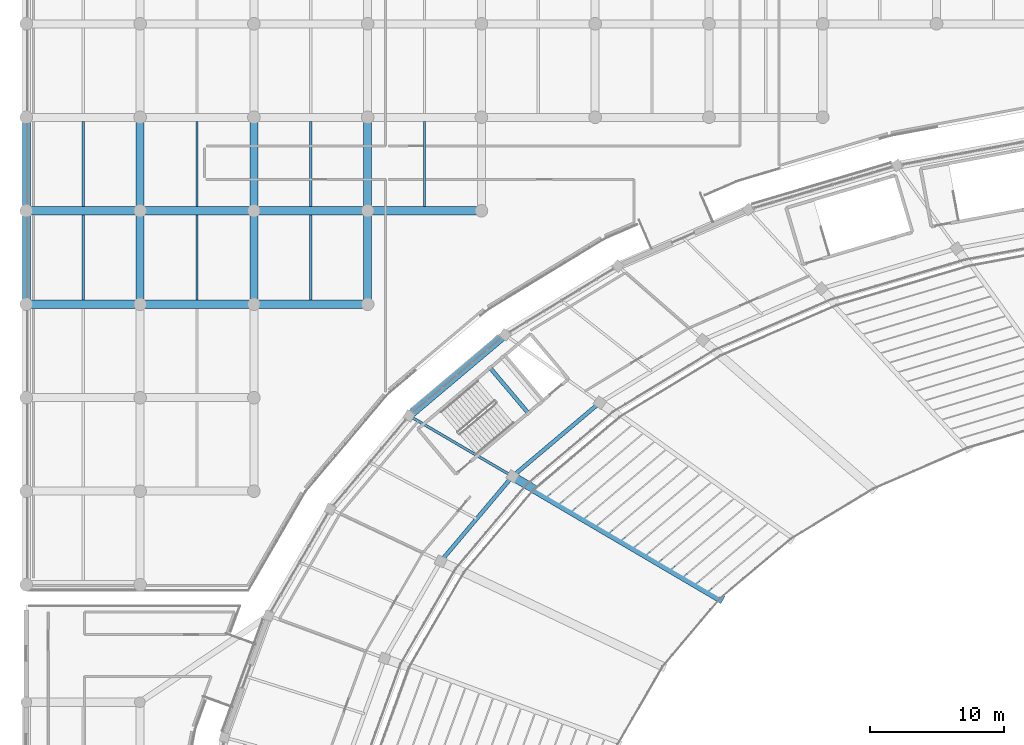
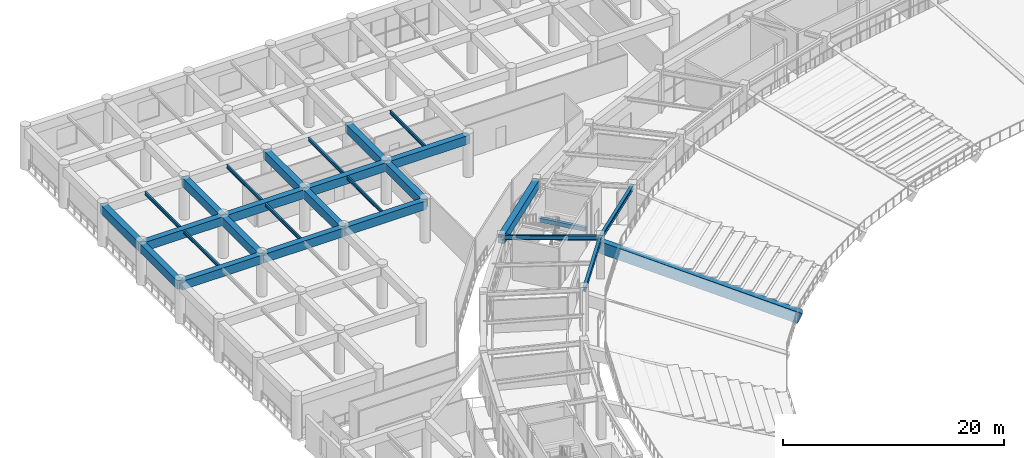
# One storey, part 53 of 137: 28 beams.
"""IFC4 building model written with IfcOpenShell, lengths in metres."""

from ifc_helpers import new_model, si_unit, direction, frame, origin, origin_2d, place, context, subcontext, project, spatial, rectangle, i_section, extrude, material, material_profile, profile_set, type_object, element, save


model = new_model("IFC4")

# Units and contexts
model_context = context("Model", 3, precision=1e-05, world=origin(), true_north=direction((0.0, 1.0)))
body_context = subcontext(model_context, "Body", "Model", "MODEL_VIEW")
ifc_project = project(units=[si_unit("LENGTHUNIT", "METRE"), si_unit("AREAUNIT", "SQUARE_METRE"), si_unit("VOLUMEUNIT", "CUBIC_METRE"), si_unit("PLANEANGLEUNIT", "RADIAN"), si_unit("MASSUNIT", "GRAM", prefix="KILO")], contexts=[model_context])

# Site, building, storey
site_placement = place(None, origin())
site = spatial("IfcSite", under=ifc_project, at=site_placement, CompositionType="ELEMENT")
building_placement = place(site_placement, origin())
building = spatial("IfcBuilding", under=site, at=building_placement, Name="Mphavela Belvedere Stadium", CompositionType="ELEMENT")
storey_placement = place(building_placement, frame((0.0, 0.0, 19.199951171875)))
storey = spatial("IfcBuildingStorey", under=building, at=storey_placement, Name="L04", CompositionType="ELEMENT", Elevation=19.199951171875)

# Beams
ifc_material_1 = material(Name="Concrete C40/50", Category="concrete")
ifc_material_profile_1 = material_profile(ifc_material_1, rectangle(XDim=0.60009765625, YDim=0.949951171875, at=origin_2d()), Name="RC 600x950")
ifc_profile_set_1 = profile_set([ifc_material_profile_1], Name="Concrete C40/50")
beam_type_1 = type_object("IfcBeamType", Name="BM-ENTABLATURE-950", PredefinedType="SPANDREL", material=ifc_profile_set_1)
beam_1_placement = place(storey_placement, frame((35.844482421875, 143.714599609375, 4.074951171875), z_axis=(-0.76426547638, -0.644901761212, 0.0), x_axis=(0.644901761212, -0.76426547638, 0.0)))
element("IfcBeam", 1, at=beam_1_placement, inside=storey, type_object=beam_type_1, Name="Circumferential girder L04 R4-19", PredefinedType="SPANDREL", context=body_context, shape_type="SweptSolid", body=[
    extrude(rectangle(XDim=0.60009765625, YDim=0.949951171875, at=origin_2d()), origin(), (0.0, 0.0, 1.0), 9.3984375),
])
beam_2_placement = place(storey_placement, frame((0.0, 146.0, 4.06494140625), z_axis=(1.0, 0.0, 0.0), x_axis=(0.0, 1.0, 0.0)))
element("IfcBeam", 2, at=beam_2_placement, inside=storey, type_object=beam_type_1, Name="North Mast and Ceremonial End Forecourt entablature beam X L04 1-4", PredefinedType="SPANDREL", context=body_context, shape_type="SweptSolid", body=[
    extrude(rectangle(XDim=0.60009765625, YDim=0.949951171875, at=origin_2d()), origin(), (0.0, 0.0, 1.0), 8.51904296875),
])
beam_3_placement = place(storey_placement, frame((0.0, 146.0, 4.06494140625), z_axis=(0.0, 1.0, 0.0), x_axis=(-1.0, 0.0, 0.0)))
element("IfcBeam", 3, at=beam_3_placement, inside=storey, type_object=beam_type_1, Name="North Mast and Ceremonial End Forecourt entablature beam Y L04 1-4", PredefinedType="SPANDREL", context=body_context, shape_type="SweptSolid", body=[
    extrude(rectangle(XDim=0.60009765625, YDim=0.949951171875, at=origin_2d()), origin(), (0.0, 0.0, 1.0), 7.0),
])
beam_4_placement = place(storey_placement, frame((0.0, 153.0, 4.06494140625), z_axis=(1.0, 0.0, 0.0), x_axis=(0.0, 1.0, 0.0)))
element("IfcBeam", 4, at=beam_4_placement, inside=storey, type_object=beam_type_1, Name="North Mast and Ceremonial End Forecourt entablature beam X L04 1-5", PredefinedType="SPANDREL", context=body_context, shape_type="SweptSolid", body=[
    extrude(rectangle(XDim=0.60009765625, YDim=0.949951171875, at=origin_2d()), origin(), (0.0, 0.0, 1.0), 8.51904296875),
])
beam_5_placement = place(storey_placement, frame((0.0, 153.0, 4.06494140625), z_axis=(0.0, 1.0, 0.0), x_axis=(-1.0, 0.0, 0.0)))
element("IfcBeam", 5, at=beam_5_placement, inside=storey, type_object=beam_type_1, Name="North Mast and Ceremonial End Forecourt entablature beam Y L04 1-5", PredefinedType="SPANDREL", context=body_context, shape_type="SweptSolid", body=[
    extrude(rectangle(XDim=0.60009765625, YDim=0.949951171875, at=origin_2d()), origin(), (0.0, 0.0, 1.0), 7.0),
])
beam_6_placement = place(storey_placement, frame((8.51904296875, 146.0, 4.06494140625), z_axis=(1.0, 0.0, 0.0), x_axis=(0.0, 1.0, 0.0)))
element("IfcBeam", 6, at=beam_6_placement, inside=storey, type_object=beam_type_1, Name="North Mast and Ceremonial End Forecourt entablature beam X L04 2-4", PredefinedType="SPANDREL", context=body_context, shape_type="SweptSolid", body=[
    extrude(rectangle(XDim=0.60009765625, YDim=0.949951171875, at=origin_2d()), origin(), (0.0, 0.0, 1.0), 8.51806640625),
])
beam_7_placement = place(storey_placement, frame((8.51904296875, 146.0, 4.06494140625), z_axis=(0.0, 1.0, 0.0), x_axis=(-1.0, 0.0, 0.0)))
element("IfcBeam", 7, at=beam_7_placement, inside=storey, type_object=beam_type_1, Name="North Mast and Ceremonial End Forecourt entablature beam Y L04 2-4", PredefinedType="SPANDREL", context=body_context, shape_type="SweptSolid", body=[
    extrude(rectangle(XDim=0.60009765625, YDim=0.949951171875, at=origin_2d()), origin(), (0.0, 0.0, 1.0), 7.0),
])
beam_8_placement = place(storey_placement, frame((8.51904296875, 153.0, 4.06494140625), z_axis=(1.0, 0.0, 0.0), x_axis=(0.0, 1.0, 0.0)))
element("IfcBeam", 8, at=beam_8_placement, inside=storey, type_object=beam_type_1, Name="North Mast and Ceremonial End Forecourt entablature beam X L04 2-5", PredefinedType="SPANDREL", context=body_context, shape_type="SweptSolid", body=[
    extrude(rectangle(XDim=0.60009765625, YDim=0.949951171875, at=origin_2d()), origin(), (0.0, 0.0, 1.0), 8.51806640625),
])
beam_9_placement = place(storey_placement, frame((8.51904296875, 153.0, 4.06494140625), z_axis=(0.0, 1.0, 0.0), x_axis=(-1.0, 0.0, 0.0)))
element("IfcBeam", 9, at=beam_9_placement, inside=storey, type_object=beam_type_1, Name="North Mast and Ceremonial End Forecourt entablature beam Y L04 2-5", PredefinedType="SPANDREL", context=body_context, shape_type="SweptSolid", body=[
    extrude(rectangle(XDim=0.60009765625, YDim=0.949951171875, at=origin_2d()), origin(), (0.0, 0.0, 1.0), 7.0),
])
beam_10_placement = place(storey_placement, frame((17.037109375, 146.0, 4.06494140625), z_axis=(1.0, 0.0, 0.0), x_axis=(0.0, 1.0, 0.0)))
element("IfcBeam", 10, at=beam_10_placement, inside=storey, type_object=beam_type_1, Name="North Mast and Ceremonial End Forecourt entablature beam X L04 3-4", PredefinedType="SPANDREL", context=body_context, shape_type="SweptSolid", body=[
    extrude(rectangle(XDim=0.60009765625, YDim=0.949951171875, at=origin_2d()), origin(), (0.0, 0.0, 1.0), 8.518798828125),
])
beam_11_placement = place(storey_placement, frame((17.037109375, 146.0, 4.06494140625), z_axis=(0.0, 1.0, 0.0), x_axis=(-1.0, 0.0, 0.0)))
element("IfcBeam", 11, at=beam_11_placement, inside=storey, type_object=beam_type_1, Name="North Mast and Ceremonial End Forecourt entablature beam Y L04 3-4", PredefinedType="SPANDREL", context=body_context, shape_type="SweptSolid", body=[
    extrude(rectangle(XDim=0.60009765625, YDim=0.949951171875, at=origin_2d()), origin(), (0.0, 0.0, 1.0), 7.0),
])
beam_12_placement = place(storey_placement, frame((17.037109375, 153.0, 4.06494140625), z_axis=(1.0, 0.0, 0.0), x_axis=(0.0, 1.0, 0.0)))
element("IfcBeam", 12, at=beam_12_placement, inside=storey, type_object=beam_type_1, Name="North Mast and Ceremonial End Forecourt entablature beam X L04 3-5", PredefinedType="SPANDREL", context=body_context, shape_type="SweptSolid", body=[
    extrude(rectangle(XDim=0.60009765625, YDim=0.949951171875, at=origin_2d()), origin(), (0.0, 0.0, 1.0), 8.518798828125),
])
for number, where, z_axis, x_axis, name in (
    (13, (17.037109375, 153.0, 4.06494140625), (0.0, 1.0, 0.0), (-1.0, 0.0, 0.0), "North Mast and Ceremonial End Forecourt entablature beam Y L04 3-5"),
    (14, (25.555908203125, 146.0, 4.06494140625), (0.0, 1.0, 0.0), (-1.0, 0.0, 0.0), "North Mast and Ceremonial End Forecourt entablature beam Y L04 4-4"),
):
    element("IfcBeam", number, at=place(storey_placement, frame(where, z_axis=z_axis, x_axis=x_axis)), inside=storey, type_object=beam_type_1, Name=name, PredefinedType="SPANDREL", context=body_context, shape_type="SweptSolid", body=[
        extrude(rectangle(XDim=0.60009765625, YDim=0.949951171875, at=origin_2d()), origin(), (0.0, 0.0, 1.0), 7.0),
    ])
beam_13_placement = place(storey_placement, frame((25.555908203125, 153.0, 4.06494140625), z_axis=(1.0, 0.0, 0.0), x_axis=(0.0, 1.0, 0.0)))
element("IfcBeam", 15, at=beam_13_placement, inside=storey, type_object=beam_type_1, Name="North Mast and Ceremonial End Forecourt entablature beam X L04 4-5", PredefinedType="SPANDREL", context=body_context, shape_type="SweptSolid", body=[
    extrude(rectangle(XDim=0.60009765625, YDim=0.949951171875, at=origin_2d()), origin(), (0.0, 0.0, 1.0), 8.51806640625),
])
beam_14_placement = place(storey_placement, frame((25.555908203125, 153.0, 4.06494140625), z_axis=(0.0, 1.0, 0.0), x_axis=(-1.0, 0.0, 0.0)))
element("IfcBeam", 16, at=beam_14_placement, inside=storey, type_object=beam_type_1, Name="North Mast and Ceremonial End Forecourt entablature beam Y L04 4-5", PredefinedType="SPANDREL", context=body_context, shape_type="SweptSolid", body=[
    extrude(rectangle(XDim=0.60009765625, YDim=0.949951171875, at=origin_2d()), origin(), (0.0, 0.0, 1.0), 7.0),
])
ifc_material_2 = material(Name="Steel S355", Category="steel")
ifc_material_profile_2 = material_profile(ifc_material_2, i_section(OverallWidth=0.169921875, OverallDepth=0.360107421875, WebThickness=0.008056640625, FlangeThickness=0.0126953125, at=origin_2d()), Name="IPE 360")
ifc_profile_set_2 = profile_set([ifc_material_profile_2], Name="Steel S355")
beam_type_2 = type_object("IfcBeamType", Name="BM-JOIST-IPE360", PredefinedType="JOIST", material=ifc_profile_set_2)
for number, where, z_axis, x_axis, name in (
    (17, (4.259521484375, 146.300048828125, 4.360107421875), (0.0, 1.0, 0.0), (-1.0, 0.0, 0.0), "North Mast and Ceremonial End Forecourt secondary joist L04 1-4"),
    (18, (4.259521484375, 153.300048828125, 4.360107421875), (0.0, 1.0, 0.0), (-1.0, 0.0, 0.0), "North Mast and Ceremonial End Forecourt secondary joist L04 1-5"),
    (19, (12.778076171875, 146.300048828125, 4.360107421875), (0.0, 1.0, 0.0), (-1.0, 0.0, 0.0), "North Mast and Ceremonial End Forecourt secondary joist L04 2-4"),
    (20, (12.778076171875, 153.300048828125, 4.360107421875), (0.0, 1.0, 0.0), (-1.0, 0.0, 0.0), "North Mast and Ceremonial End Forecourt secondary joist L04 2-5"),
    (21, (21.29638671875, 146.300048828125, 4.360107421875), (0.0, 1.0, 0.0), (-1.0, 0.0, 0.0), "North Mast and Ceremonial End Forecourt secondary joist L04 3-4"),
    (22, (21.29638671875, 153.300048828125, 4.360107421875), (0.0, 1.0, 0.0), (-1.0, 0.0, 0.0), "North Mast and Ceremonial End Forecourt secondary joist L04 3-5"),
    (23, (29.81494140625, 153.300048828125, 4.360107421875), (0.0, 1.0, 0.0), (-1.0, 0.0, 0.0), "North Mast and Ceremonial End Forecourt secondary joist L04 4-5"),
):
    element("IfcBeam", number, at=place(storey_placement, frame(where, z_axis=z_axis, x_axis=x_axis)), inside=storey, type_object=beam_type_2, Name=name, PredefinedType="JOIST", context=body_context, shape_type="SweptSolid", body=[
        extrude(i_section(OverallWidth=0.169921875, OverallDepth=0.360107421875, WebThickness=0.008056640625, FlangeThickness=0.0126953125, at=origin_2d()), origin(), (0.0, 0.0, 1.0), 6.39990234375),
    ])
ifc_material_3 = material(Name="Precast concrete C45/55", Category="concrete")
ifc_material_profile_3 = material_profile(ifc_material_3, rectangle(XDim=0.64990234375, YDim=1.199951171875, at=origin_2d()), Name="PC 650x1200")
ifc_profile_set_3 = profile_set([ifc_material_profile_3], Name="Precast concrete C45/55")
beam_type_3 = type_object("IfcBeamType", Name="BM-RAKER-UPPER", PredefinedType="USERDEFINED", material=ifc_profile_set_3)
beam_15_placement = place(storey_placement, frame((51.956787109375, 123.986572265625, -4.349853515625), z_axis=(-0.792460869646, 0.464928119201, 0.394775396975), x_axis=(-0.506028977575, -0.862516477439, 0.0)))
element("IfcBeam", 24, at=beam_15_placement, inside=storey, type_object=beam_type_3, Name="Upper tier precast cantilever raker beam RK-U-20", ObjectType="RAKER BEAM", PredefinedType="USERDEFINED", context=body_context, shape_type="SweptSolid", body=[
    extrude(rectangle(XDim=0.64990234375, YDim=1.199951171875, at=origin_2d()), origin(), (0.0, 0.0, 1.0), 19.63134765625),
])
ifc_material_4 = material(Name="Concrete C40/50", Category="concrete")
ifc_material_profile_4 = material_profile(ifc_material_4, rectangle(XDim=0.300048828125, YDim=0.449951171875, at=origin_2d()), Name="RC 300x450")
ifc_profile_set_4 = profile_set([ifc_material_profile_4], Name="Concrete C40/50")
beam_type_4 = type_object("IfcBeamType", Name="BM-RC300x450", PredefinedType="BEAM", material=ifc_profile_set_4)
beam_16_placement = place(storey_placement, frame((37.5927734375, 137.838623046875, 1.97509765625), z_axis=(-0.644915803055, 0.764253627384, 0.0), x_axis=(-0.764253627384, -0.644915803055, 0.0)))
element("IfcBeam", 25, at=beam_16_placement, inside=storey, type_object=beam_type_4, Name="Core C05 landing trimmer beam L04-1", PredefinedType="BEAM", context=body_context, shape_type="SweptSolid", body=[
    extrude(rectangle(XDim=0.300048828125, YDim=0.449951171875, at=origin_2d()), origin(), (0.0, 0.0, 1.0), 4.469970703125),
])
ifc_material_5 = material(Name="Steel S355", Category="steel")
ifc_material_profile_5 = material_profile(ifc_material_5, i_section(OverallWidth=0.300048828125, OverallDepth=0.489990234375, WebThickness=0.011962890625, FlangeThickness=0.02294921875, at=origin_2d()), Name="HEA 500")
ifc_profile_set_5 = profile_set([ifc_material_profile_5], Name="Steel S355")
beam_type_5 = type_object("IfcBeamType", Name="BM-STEEL-HEA500", PredefinedType="BEAM", material=ifc_profile_set_5)
beam_17_placement = place(storey_placement, frame((42.938720703125, 138.631591796875, 4.304931640625), z_axis=(-0.764263355392, -0.644904274761, 0.0), x_axis=(0.644904274761, -0.764263355392, 0.0)))
element("IfcBeam", 26, at=beam_17_placement, inside=storey, type_object=beam_type_5, Name="Circumferential girder L04 R3-19", PredefinedType="BEAM", context=body_context, shape_type="SweptSolid", body=[
    extrude(i_section(OverallWidth=0.300048828125, OverallDepth=0.489990234375, WebThickness=0.011962890625, FlangeThickness=0.02294921875, at=origin_2d()), origin(), (0.0, 0.0, 1.0), 8.55615234375),
])
beam_18_placement = place(storey_placement, frame((36.399658203125, 133.11376953125, 4.304931640625), z_axis=(-0.645177396673, -0.764032804808, 0.0), x_axis=(0.764032804808, -0.645177396673, 0.0)))
element("IfcBeam", 27, at=beam_18_placement, inside=storey, type_object=beam_type_5, Name="Circumferential girder L04 R3-20", PredefinedType="BEAM", context=body_context, shape_type="SweptSolid", body=[
    extrude(i_section(OverallWidth=0.300048828125, OverallDepth=0.489990234375, WebThickness=0.011962890625, FlangeThickness=0.02294921875, at=origin_2d()), origin(), (0.0, 0.0, 1.0), 8.331298828125),
])
ifc_material_6 = material(Name="Steel S355", Category="steel")
ifc_material_profile_6 = material_profile(ifc_material_6, i_section(OverallWidth=0.199951171875, OverallDepth=0.5, WebThickness=0.01025390625, FlangeThickness=0.01611328125, at=origin_2d()), Name="IPE 500")
ifc_profile_set_6 = profile_set([ifc_material_profile_6], Name="Steel S355")
beam_type_6 = type_object("IfcBeamType", Name="BM-STEEL-IPE500", PredefinedType="BEAM", material=ifc_profile_set_6)
beam_19_placement = place(storey_placement, frame((36.399658203125, 133.11376953125, 4.300048828125), z_axis=(-0.862517779395, 0.506026758411, 0.0), x_axis=(-0.506026758411, -0.862517779395, 0.0)))
element("IfcBeam", 28, at=beam_19_placement, inside=storey, type_object=beam_type_6, Name="Radial concourse girder L04 R3R4-20", PredefinedType="BEAM", context=body_context, shape_type="SweptSolid", body=[
    extrude(i_section(OverallWidth=0.199951171875, OverallDepth=0.5, WebThickness=0.01025390625, FlangeThickness=0.01611328125, at=origin_2d()), origin(), (0.0, 0.0, 1.0), 8.971435546875),
])

save(model, "model.ifc")
